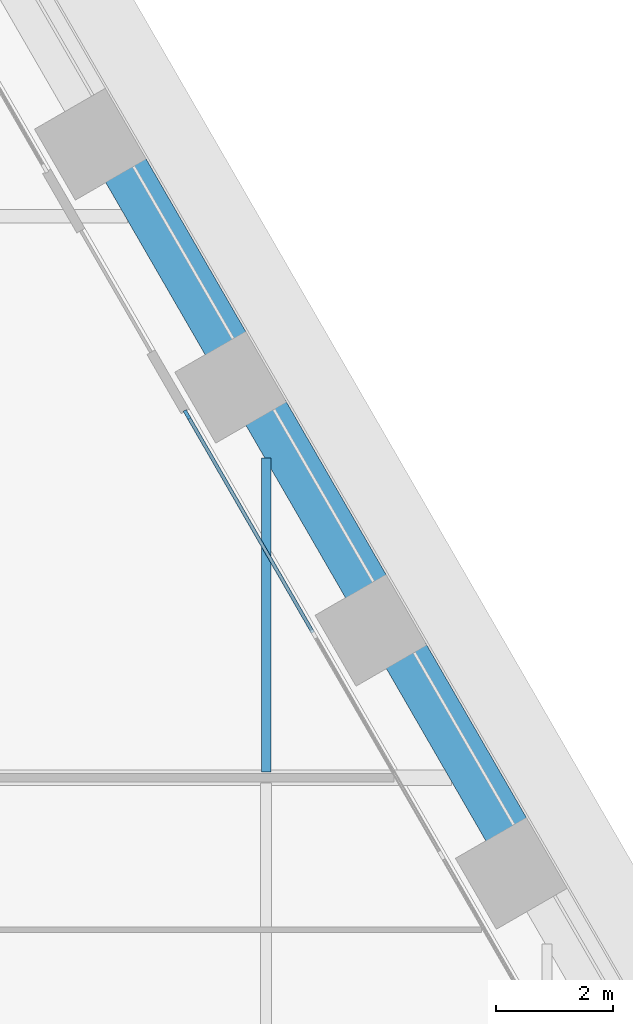
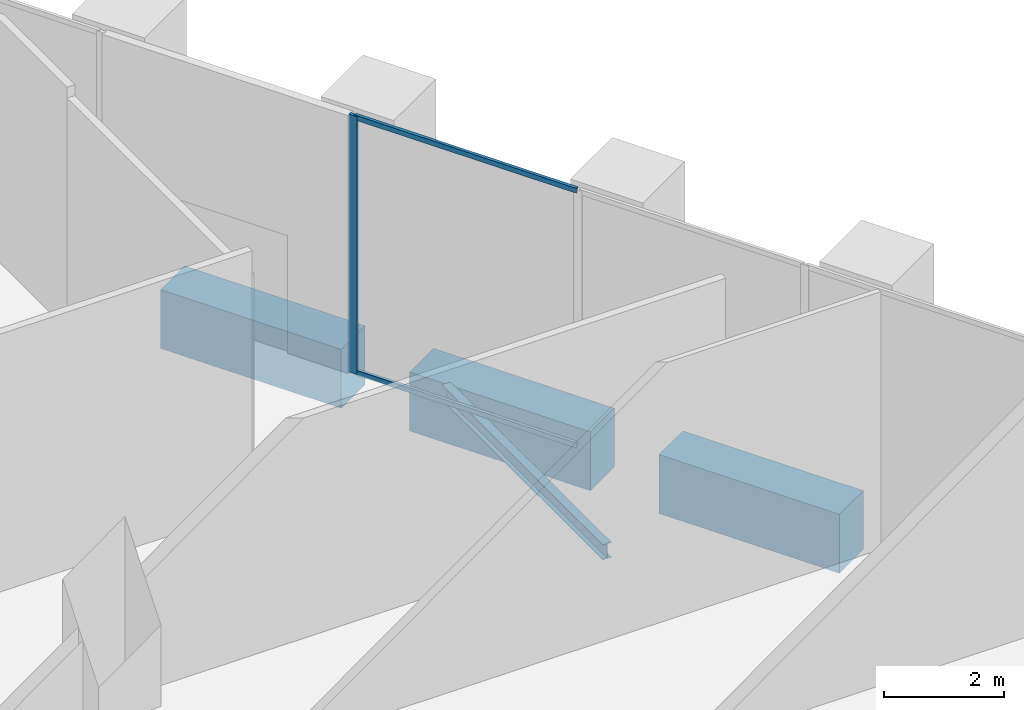
# One storey, part 12 of 27: 4 beams, 3 members, 1 element without a shape of its own.
"""IFC4 building model written with IfcOpenShell, lengths in metres."""

from ifc_helpers import new_model, si_unit, direction, frame, origin, origin_2d, place, context, subcontext, project, spatial, rectangle, i_section, extrude, material, material_profile, profile_set, type_object, element, aggregate, save


model = new_model("IFC4")

# Units and contexts
model_context = context("Model", 3, precision=1e-05, world=origin(), true_north=direction((0.0, 1.0)))
body_context = subcontext(model_context, "Body", "Model", "MODEL_VIEW")
ifc_project = project(units=[si_unit("LENGTHUNIT", "METRE"), si_unit("AREAUNIT", "SQUARE_METRE"), si_unit("VOLUMEUNIT", "CUBIC_METRE"), si_unit("PLANEANGLEUNIT", "RADIAN"), si_unit("MASSUNIT", "GRAM", prefix="KILO")], contexts=[model_context])

# Site, building, storey
site_placement = place(None, origin())
site = spatial("IfcSite", under=ifc_project, at=site_placement, CompositionType="ELEMENT")
building_placement = place(site_placement, origin())
building = spatial("IfcBuilding", under=site, at=building_placement, Name="Kolab Exchange Tower", CompositionType="ELEMENT")
storey_placement = place(building_placement, frame((0.0, 0.0, 49.89990234375)))
storey = spatial("IfcBuildingStorey", under=building, at=storey_placement, Name="L09", CompositionType="ELEMENT", Elevation=49.89990234375)

# Beams
ifc_material_1 = material(Name="Steel S355", Category="steel")
ifc_material_profile_1 = material_profile(ifc_material_1, i_section(OverallWidth=0.1650390625, OverallDepth=0.31005859375, WebThickness=0.005859375, FlangeThickness=0.009765625, at=origin_2d()), Name="W310X39")
ifc_profile_set_1 = profile_set([ifc_material_profile_1], Name="Steel S355")
beam_type_1 = type_object("IfcBeamType", Name="FLOOR BEAM W310X39", PredefinedType="BEAM", material=ifc_profile_set_1)
beam_1_placement = place(storey_placement, frame((28.800048828125, 9.693603515625, -0.40478515625), z_axis=(0.0, 1.0, 0.0), x_axis=(-1.0, 0.0, 0.0)))
element("IfcBeam", 1, at=beam_1_placement, inside=storey, type_object=beam_type_1, Name="beam/L09/fr/061", PredefinedType="BEAM", context=body_context, shape_type="SweptSolid", body=[
    extrude(i_section(OverallWidth=0.1650390625, OverallDepth=0.31005859375, WebThickness=0.005859375, FlangeThickness=0.009765625, at=origin_2d()), origin(), (0.0, 0.0, 1.0), 5.3740234375),
])
ifc_material_2 = material(Name="Concrete C80/95", Category="concrete")
ifc_material_profile_2 = material_profile(ifc_material_2, rectangle(XDim=0.800048828125, YDim=1.199951171875, at=origin_2d()), Name="RC800X1200")
ifc_profile_set_2 = profile_set([ifc_material_profile_2], Name="Concrete C80/95")
beam_type_2 = type_object("IfcBeamType", Name="SPANDREL BEAM 800X1200 C80/95", PredefinedType="BEAM", material=ifc_profile_set_2)
beam_2_placement = place(storey_placement, frame((26.383544921875, 20.012939453125, -0.849853515625), z_axis=(0.500009906705, -0.86601968407, 0.0), x_axis=(0.86601968407, 0.500009906705, 0.0)))
element("IfcBeam", 2, at=beam_2_placement, inside=storey, type_object=beam_type_2, Name="beam/L09/sp/F2-04", PredefinedType="BEAM", context=body_context, shape_type="SweptSolid", body=[
    extrude(rectangle(XDim=0.800048828125, YDim=1.199951171875, at=origin_2d()), origin(), (0.0, 0.0, 1.0), 3.47998046875),
])
for number, where, z_axis, x_axis, name in (
    (3, (28.78369140625, 15.856201171875, -0.849853515625), (0.499979528911, -0.866037222451, 0.0), (0.866037222451, 0.499979528911, 0.0), "beam/L09/sp/F2-05"),
    (4, (31.18359375, 11.69921875, -0.849853515625), (0.499979528911, -0.866037222451, 0.0), (0.866037222451, 0.499979528911, 0.0), "beam/L09/sp/F2-06"),
):
    element("IfcBeam", number, at=place(storey_placement, frame(where, z_axis=z_axis, x_axis=x_axis)), inside=storey, type_object=beam_type_2, Name=name, PredefinedType="BEAM", context=body_context, shape_type="SweptSolid", body=[
        extrude(rectangle(XDim=0.800048828125, YDim=1.199951171875, at=origin_2d()), origin(), (0.0, 0.0, 1.0), 3.480224609375),
    ])

# Curtain wall, members
ifc_material_3 = material(Name="Aluminium EN AW-6063 T6", Category="aluminium")
curtain_wall_type = type_object("IfcCurtainWallType", Name="UNITISED LOW ZONE CURTAIN WALL", PredefinedType="NOTDEFINED", material=ifc_material_3)
curtain_wall_placement = place(storey_placement, origin())
curtain_wall = element("IfcCurtainWall", 5, at=curtain_wall_placement, inside=storey, type_object=curtain_wall_type, Name="cw/L09/F2-2", PredefinedType="NOTDEFINED")
ifc_material_profile_3 = material_profile(ifc_material_3, rectangle(XDim=0.06005859375, YDim=0.159912109375, at=origin_2d()), Name="RECT 60X160")
ifc_profile_set_3 = profile_set([ifc_material_profile_3], Name="Aluminium EN AW-6063 T6")
member_type_1 = type_object("IfcMemberType", Name="UNITISED LOW ZONE MULLION 60 X 160", PredefinedType="MULLION", material=ifc_profile_set_3)
member_1_placement = place(storey_placement, frame((27.44677734375, 15.811767578125, 0.0), z_axis=(0.0, 0.0, 1.0), x_axis=(0.866025422102, 0.499999968274, 0.0)))
member_1 = element("IfcMember", 6, at=member_1_placement, type_object=member_type_1, Name="CW1 mullion 1", PredefinedType="MULLION", context=body_context, shape_type="SweptSolid", body=[
    extrude(rectangle(XDim=0.06005859375, YDim=0.159912109375, at=origin_2d()), origin(), (0.0, 0.0, 1.0), 5.25),
])
ifc_material_profile_4 = material_profile(ifc_material_3, rectangle(XDim=0.06005859375, YDim=0.10009765625, at=origin_2d()), Name="RECT 60X100")
ifc_profile_set_4 = profile_set([ifc_material_profile_4], Name="Aluminium EN AW-6063 T6")
member_type_2 = type_object("IfcMemberType", Name="UNITISED LOW ZONE TRANSOM 60 X 100", PredefinedType="USERDEFINED", material=ifc_profile_set_4)
member_2_placement = place(storey_placement, frame((27.461669921875, 15.78564453125, 0.030029296875), z_axis=(0.500000816281, -0.866024932504, 0.0), x_axis=(0.866024932504, 0.500000816281, 0.0)))
member_2 = element("IfcMember", 7, at=member_2_placement, type_object=member_type_2, Name="CW1 transom 1.1", ObjectType="TRANSOM", PredefinedType="USERDEFINED", context=body_context, shape_type="SweptSolid", body=[
    extrude(rectangle(XDim=0.06005859375, YDim=0.10009765625, at=origin_2d()), origin(), (0.0, 0.0, 1.0), 4.27685546875),
])
member_3_placement = place(storey_placement, frame((27.461669921875, 15.78564453125, 5.22021484375), z_axis=(0.500000816281, -0.866024932504, 0.0), x_axis=(0.866024932504, 0.500000816281, 0.0)))
member_3 = element("IfcMember", 8, at=member_3_placement, type_object=member_type_2, Name="CW1 transom 1.2", ObjectType="TRANSOM", PredefinedType="USERDEFINED", context=body_context, shape_type="SweptSolid", body=[
    extrude(rectangle(XDim=0.06005859375, YDim=0.10009765625, at=origin_2d()), origin(), (0.0, 0.0, 1.0), 4.27685546875),
])
aggregate(curtain_wall, [member_1, member_2, member_3])

save(model, "model.ifc")
